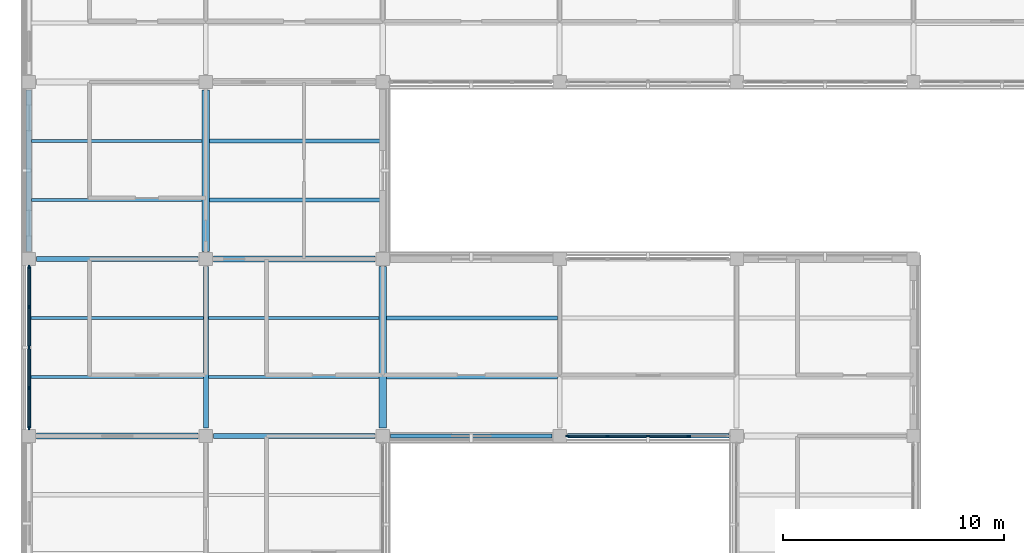
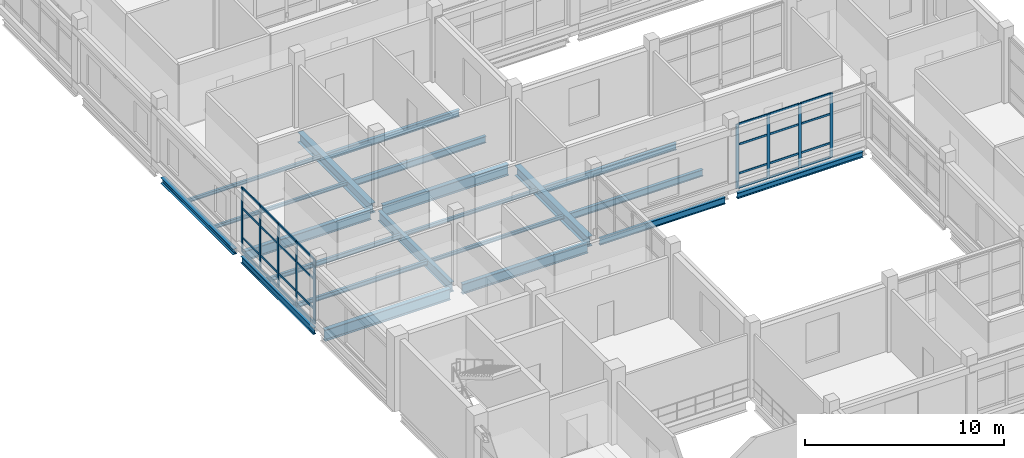
# One storey, part 13 of 121: 37 members, 21 beams, 2 elements without a shape of their own.
"""IFC4 building model written with IfcOpenShell, lengths in metres."""

from ifc_helpers import new_model, si_unit, derived_unit, direction, frame, origin, origin_2d, place, context, subcontext, project, spatial, rectangle, i_section, extrude, material, layer, layer_set, material_profile, profile_set, type_object, element, aggregate, save


model = new_model("IFC4")

# Units and contexts
model_context = context("Model", 3, precision=1e-05, world=origin(), true_north=direction((0.0, 1.0)))
body_context = subcontext(model_context, "Body", "Model", "MODEL_VIEW")
ifc_project = project(units=[si_unit("LENGTHUNIT", "METRE"), si_unit("AREAUNIT", "SQUARE_METRE"), si_unit("VOLUMEUNIT", "CUBIC_METRE"), si_unit("PLANEANGLEUNIT", "RADIAN"), si_unit("MASSUNIT", "GRAM", prefix="KILO"), derived_unit("THERMALTRANSMITTANCEUNIT", [(si_unit("MASSUNIT", "GRAM", prefix="KILO"), 1), (si_unit("TIMEUNIT", "SECOND"), -3), (si_unit("THERMODYNAMICTEMPERATUREUNIT", "KELVIN"), -1)])], contexts=[model_context])

# Site, building, storey
site_placement = place(None, origin())
site = spatial("IfcSite", under=ifc_project, at=site_placement, CompositionType="ELEMENT")
building_placement = place(site_placement, origin())
building = spatial("IfcBuilding", under=site, at=building_placement, Name="Veyamyaing Civic Hall", CompositionType="ELEMENT")
storey_placement = place(building_placement, frame((0.0, 0.0, 5.280029296875)))
storey = spatial("IfcBuildingStorey", under=building, at=storey_placement, Name="L01", CompositionType="ELEMENT", Elevation=5.280029296875)

# Beams
ifc_material_1 = material(Name="Steel ASTM A992", Category="steel")
ifc_material_profile_1 = material_profile(ifc_material_1, i_section(OverallWidth=0.256103515625, OverallDepth=0.693115234375, WebThickness=0.014404296875, FlangeThickness=0.023681640625, FilletRadius=0.013916015625, at=origin_2d()), Name="W690X170")
ifc_profile_set_1 = profile_set([ifc_material_profile_1], Name="Steel ASTM A992")
beam_type_1 = type_object("IfcBeamType", Name="B-04", PredefinedType="BEAM", material=ifc_profile_set_1)
beam_1_placement = place(storey_placement, frame((0.35009765625, 32.0, -0.591552734375), z_axis=(1.0, 0.0, 0.0), x_axis=(0.0, 1.0, 0.0)))
element("IfcBeam", 1, at=beam_1_placement, inside=storey, type_object=beam_type_1, Name="Girder B-04 L01 Grid E 1-2", PredefinedType="BEAM", context=body_context, shape_type="SweptSolid", body=[
    extrude(i_section(OverallWidth=0.256103515625, OverallDepth=0.693115234375, WebThickness=0.014404296875, FlangeThickness=0.023681640625, FilletRadius=0.013916015625, at=origin_2d()), origin(), (0.0, 0.0, 1.0), 7.2998046875),
])
ifc_material_profile_2 = material_profile(ifc_material_1, i_section(OverallWidth=0.22998046875, OverallDepth=0.616943359375, WebThickness=0.01318359375, FlangeThickness=0.022216796875, FilletRadius=0.012939453125, at=origin_2d()), Name="W610X140")
ifc_profile_set_2 = profile_set([ifc_material_profile_2], Name="Steel ASTM A992")
beam_type_2 = type_object("IfcBeamType", Name="B-05", PredefinedType="BEAM", material=ifc_profile_set_2)
for number, where, z_axis, x_axis, name in (
    (2, (8.35009765625, 32.0, -0.553466796875), (1.0, 0.0, 0.0), (0.0, 1.0, 0.0), "Girder B-05 L01 Grid E 2-3"),
    (3, (0.35009765625, 40.0, -0.553466796875), (1.0, 0.0, 0.0), (0.0, 1.0, 0.0), "Girder B-05 L01 Grid F 1-2"),
):
    element("IfcBeam", number, at=place(storey_placement, frame(where, z_axis=z_axis, x_axis=x_axis)), inside=storey, type_object=beam_type_2, Name=name, PredefinedType="BEAM", context=body_context, shape_type="SweptSolid", body=[
        extrude(i_section(OverallWidth=0.22998046875, OverallDepth=0.616943359375, WebThickness=0.01318359375, FlangeThickness=0.022216796875, FilletRadius=0.012939453125, at=origin_2d()), origin(), (0.0, 0.0, 1.0), 7.2998046875),
    ])
ifc_material_profile_3 = material_profile(ifc_material_1, i_section(OverallWidth=0.22802734375, OverallDepth=0.60791015625, WebThickness=0.01123046875, FlangeThickness=0.017333984375, FilletRadius=0.012939453125, at=origin_2d()), Name="W610X113")
ifc_profile_set_3 = profile_set([ifc_material_profile_3], Name="Steel ASTM A992")
beam_type_3 = type_object("IfcBeamType", Name="B-06", PredefinedType="BEAM", material=ifc_profile_set_3)
beam_2_placement = place(storey_placement, frame((8.0, 32.35009765625, -0.549072265625), z_axis=(0.0, 1.0, 0.0), x_axis=(-1.0, 0.0, 0.0)))
element("IfcBeam", 4, at=beam_2_placement, inside=storey, type_object=beam_type_3, Name="Girder B-06 L01 Grid 2 E-F", PredefinedType="BEAM", context=body_context, shape_type="SweptSolid", body=[
    extrude(i_section(OverallWidth=0.22802734375, OverallDepth=0.60791015625, WebThickness=0.01123046875, FlangeThickness=0.017333984375, FilletRadius=0.012939453125, at=origin_2d()), origin(), (0.0, 0.0, 1.0), 7.2998046875),
])
ifc_material_profile_4 = material_profile(ifc_material_1, i_section(OverallWidth=0.179931640625, OverallDepth=0.4130859375, WebThickness=0.009765625, FlangeThickness=0.01611328125, FilletRadius=0.010009765625, at=origin_2d()), Name="W410X74")
ifc_profile_set_4 = profile_set([ifc_material_profile_4], Name="Steel ASTM A992")
beam_type_4 = type_object("IfcBeamType", Name="B-10", PredefinedType="SPANDREL", material=ifc_profile_set_4)
beam_3_placement = place(storey_placement, frame((16.35009765625, 32.0, -0.451416015625), z_axis=(1.0, 0.0, 0.0), x_axis=(0.0, 1.0, 0.0)))
element("IfcBeam", 5, at=beam_3_placement, inside=storey, type_object=beam_type_4, Name="Girder B-10 L01 Grid E 3-4", PredefinedType="SPANDREL", context=body_context, shape_type="SweptSolid", body=[
    extrude(i_section(OverallWidth=0.179931640625, OverallDepth=0.4130859375, WebThickness=0.009765625, FlangeThickness=0.01611328125, FilletRadius=0.010009765625, at=origin_2d()), origin(), (0.0, 0.0, 1.0), 7.2998046875),
])
ifc_material_profile_5 = material_profile(ifc_material_1, i_section(OverallWidth=0.2041015625, OverallDepth=0.35009765625, WebThickness=0.0078125, FlangeThickness=0.01513671875, FilletRadius=0.010009765625, at=origin_2d()), Name="W360X72")
ifc_profile_set_5 = profile_set([ifc_material_profile_5], Name="Steel ASTM A992")
beam_type_5 = type_object("IfcBeamType", Name="B-11", PredefinedType="SPANDREL", material=ifc_profile_set_5)
beam_4_placement = place(storey_placement, frame((24.35009765625, 32.0, -0.419921875), z_axis=(1.0, 0.0, 0.0), x_axis=(0.0, 1.0, 0.0)))
element("IfcBeam", 6, at=beam_4_placement, inside=storey, type_object=beam_type_5, Name="Girder B-11 L01 Grid E 4-5", PredefinedType="SPANDREL", context=body_context, shape_type="SweptSolid", body=[
    extrude(i_section(OverallWidth=0.2041015625, OverallDepth=0.35009765625, WebThickness=0.0078125, FlangeThickness=0.01513671875, FilletRadius=0.010009765625, at=origin_2d()), origin(), (0.0, 0.0, 1.0), 7.2998046875),
])
ifc_material_profile_6 = material_profile(ifc_material_1, i_section(OverallWidth=0.25390625, OverallDepth=0.68408203125, WebThickness=0.012451171875, FlangeThickness=0.01904296875, FilletRadius=0.013916015625, at=origin_2d()), Name="W690X140")
ifc_profile_set_6 = profile_set([ifc_material_profile_6], Name="Steel ASTM A992")
beam_type_6 = type_object("IfcBeamType", Name="B-14", PredefinedType="BEAM", material=ifc_profile_set_6)
beam_5_placement = place(storey_placement, frame((8.35009765625, 40.0, -0.5869140625), z_axis=(1.0, 0.0, 0.0), x_axis=(0.0, 1.0, 0.0)))
element("IfcBeam", 7, at=beam_5_placement, inside=storey, type_object=beam_type_6, Name="Girder B-14 L01 Grid F 2-3", PredefinedType="BEAM", context=body_context, shape_type="SweptSolid", body=[
    extrude(i_section(OverallWidth=0.25390625, OverallDepth=0.68408203125, WebThickness=0.012451171875, FlangeThickness=0.01904296875, FilletRadius=0.013916015625, at=origin_2d()), origin(), (0.0, 0.0, 1.0), 7.2998046875),
])
ifc_material_profile_7 = material_profile(ifc_material_1, i_section(OverallWidth=0.324951171875, OverallDepth=0.615966796875, WebThickness=0.013916015625, FlangeThickness=0.021484375, FilletRadius=0.013916015625, at=origin_2d()), Name="W610X174")
ifc_profile_set_7 = profile_set([ifc_material_profile_7], Name="Steel ASTM A992")
beam_type_7 = type_object("IfcBeamType", Name="B-15", PredefinedType="BEAM", material=ifc_profile_set_7)
for number, where, z_axis, x_axis, name in (
    (8, (8.0, 40.35009765625, -0.552978515625), (0.0, 1.0, 0.0), (-1.0, 0.0, 0.0), "Girder B-15 L01 Grid 2 F-G"),
    (9, (16.0, 32.35009765625, -0.552978515625), (0.0, 1.0, 0.0), (-1.0, 0.0, 0.0), "Girder B-15 L01 Grid 3 E-F"),
):
    element("IfcBeam", number, at=place(storey_placement, frame(where, z_axis=z_axis, x_axis=x_axis)), inside=storey, type_object=beam_type_7, Name=name, PredefinedType="BEAM", context=body_context, shape_type="SweptSolid", body=[
        extrude(i_section(OverallWidth=0.324951171875, OverallDepth=0.615966796875, WebThickness=0.013916015625, FlangeThickness=0.021484375, FilletRadius=0.013916015625, at=origin_2d()), origin(), (0.0, 0.0, 1.0), 7.2998046875),
    ])
ifc_material_profile_8 = material_profile(ifc_material_1, i_section(OverallWidth=0.180908203125, OverallDepth=0.4169921875, WebThickness=0.010986328125, FlangeThickness=0.018310546875, FilletRadius=0.010009765625, at=origin_2d()), Name="W410X85")
ifc_profile_set_8 = profile_set([ifc_material_profile_8], Name="Steel ASTM A992")
beam_type_8 = type_object("IfcBeamType", Name="B-19", PredefinedType="SPANDREL", material=ifc_profile_set_8)
beam_6_placement = place(storey_placement, frame((0.0, 32.35009765625, -0.45361328125), z_axis=(0.0, 1.0, 0.0), x_axis=(-1.0, 0.0, 0.0)))
element("IfcBeam", 10, at=beam_6_placement, inside=storey, type_object=beam_type_8, Name="Girder B-19 L01 Grid 1 E-F", PredefinedType="SPANDREL", context=body_context, shape_type="SweptSolid", body=[
    extrude(i_section(OverallWidth=0.180908203125, OverallDepth=0.4169921875, WebThickness=0.010986328125, FlangeThickness=0.018310546875, FilletRadius=0.010009765625, at=origin_2d()), origin(), (0.0, 0.0, 1.0), 7.2998046875),
])
ifc_material_profile_9 = material_profile(ifc_material_1, i_section(OverallWidth=0.25390625, OverallDepth=0.35302734375, WebThickness=0.009521484375, FlangeThickness=0.016357421875, FilletRadius=0.011962890625, at=origin_2d()), Name="W360X91")
ifc_profile_set_9 = profile_set([ifc_material_profile_9], Name="Steel ASTM A992")
beam_type_9 = type_object("IfcBeamType", Name="B-20", PredefinedType="SPANDREL", material=ifc_profile_set_9)
beam_7_placement = place(storey_placement, frame((0.0, 40.35009765625, -0.421630859375), z_axis=(0.0, 1.0, 0.0), x_axis=(-1.0, 0.0, 0.0)))
element("IfcBeam", 11, at=beam_7_placement, inside=storey, type_object=beam_type_9, Name="Girder B-20 L01 Grid 1 F-G", PredefinedType="SPANDREL", context=body_context, shape_type="SweptSolid", body=[
    extrude(i_section(OverallWidth=0.25390625, OverallDepth=0.35302734375, WebThickness=0.009521484375, FlangeThickness=0.016357421875, FilletRadius=0.011962890625, at=origin_2d()), origin(), (0.0, 0.0, 1.0), 7.2998046875),
])

# Curtain wall, members
ifc_material_2 = material(Name="Anodised aluminium 6063-T6", Category="aluminium")
ifc_layer = layer(ifc_material_2, 0.159912109375, Name="Anodised aluminium 6063-T6")
ifc_layer_set = layer_set([ifc_layer], Name="Anodised aluminium 6063-T6")
curtain_wall_type = type_object("IfcCurtainWallType", Name="CW-02", PredefinedType="NOTDEFINED", material=ifc_layer_set)
curtain_wall_1_placement = place(storey_placement, origin())
curtain_wall_1 = element("IfcCurtainWall", 12, at=curtain_wall_1_placement, inside=storey, type_object=curtain_wall_type, Name="Unitized curtain wall CW-02 L01 W 1.5", PredefinedType="NOTDEFINED")
ifc_material_profile_10 = material_profile(ifc_material_2, rectangle(XDim=0.06494140625, YDim=0.159912109375, at=origin_2d()), Name="ALU-MUL-65X160")
ifc_profile_set_10 = profile_set([ifc_material_profile_10], Name="Anodised aluminium 6063-T6")
member_type_1 = type_object("IfcMemberType", Name="CWM-01", PredefinedType="MULLION", material=ifc_profile_set_10)
member_1_placement = place(storey_placement, frame((0.0, 32.362548828125, 0.0), z_axis=(0.0, 0.0, 1.0), x_axis=(-1.0, 0.0, 0.0)))
member_1 = element("IfcMember", 13, at=member_1_placement, type_object=member_type_1, Name="CW-02 mullion 1", PredefinedType="MULLION", context=body_context, shape_type="SweptSolid", body=[
    extrude(rectangle(XDim=0.06494140625, YDim=0.159912109375, at=origin_2d()), origin(), (0.0, 0.0, 1.0), 3.973876953125),
])
member_2_placement = place(storey_placement, frame((0.0, 34.1650390625, 0.0), z_axis=(0.0, 0.0, 1.0), x_axis=(-1.0, 0.0, 0.0)))
member_2 = element("IfcMember", 14, at=member_2_placement, type_object=member_type_1, Name="CW-02 mullion 2", PredefinedType="MULLION", context=body_context, shape_type="SweptSolid", body=[
    extrude(rectangle(XDim=0.06494140625, YDim=0.159912109375, at=origin_2d()), origin(), (0.0, 0.0, 1.0), 3.973876953125),
])
member_3_placement = place(storey_placement, frame((0.0, 36.0, 0.0), z_axis=(0.0, 0.0, 1.0), x_axis=(-1.0, 0.0, 0.0)))
member_3 = element("IfcMember", 15, at=member_3_placement, type_object=member_type_1, Name="CW-02 mullion 3", PredefinedType="MULLION", context=body_context, shape_type="SweptSolid", body=[
    extrude(rectangle(XDim=0.06494140625, YDim=0.159912109375, at=origin_2d()), origin(), (0.0, 0.0, 1.0), 3.973876953125),
])
member_4_placement = place(storey_placement, frame((0.0, 37.8349609375, 0.0), z_axis=(0.0, 0.0, 1.0), x_axis=(-1.0, 0.0, 0.0)))
member_4 = element("IfcMember", 16, at=member_4_placement, type_object=member_type_1, Name="CW-02 mullion 4", PredefinedType="MULLION", context=body_context, shape_type="SweptSolid", body=[
    extrude(rectangle(XDim=0.06494140625, YDim=0.159912109375, at=origin_2d()), origin(), (0.0, 0.0, 1.0), 3.973876953125),
])
member_5_placement = place(storey_placement, frame((0.0, 39.637451171875, 0.0), z_axis=(0.0, 0.0, 1.0), x_axis=(-1.0, 0.0, 0.0)))
member_5 = element("IfcMember", 17, at=member_5_placement, type_object=member_type_1, Name="CW-02 mullion 5", PredefinedType="MULLION", context=body_context, shape_type="SweptSolid", body=[
    extrude(rectangle(XDim=0.06494140625, YDim=0.159912109375, at=origin_2d()), origin(), (0.0, 0.0, 1.0), 3.973876953125),
])

curtain_wall_2_placement = place(storey_placement, origin())
curtain_wall_2 = element("IfcCurtainWall", 18, at=curtain_wall_2_placement, inside=storey, type_object=curtain_wall_type, Name="Unitized curtain wall CW-02 L01 S 4.5", PredefinedType="NOTDEFINED")
member_6_placement = place(storey_placement, frame((24.362548828125, 32.0, 0.0), z_axis=(0.0, 0.0, 1.0), x_axis=(0.0, 1.0, 0.0)))
member_6 = element("IfcMember", 19, at=member_6_placement, type_object=member_type_1, Name="CW-02 mullion 1", PredefinedType="MULLION", context=body_context, shape_type="SweptSolid", body=[
    extrude(rectangle(XDim=0.06494140625, YDim=0.159912109375, at=origin_2d()), origin(), (0.0, 0.0, 1.0), 3.955078125),
])
member_7_placement = place(storey_placement, frame((26.1650390625, 32.0, 0.0), z_axis=(0.0, 0.0, 1.0), x_axis=(0.0, 1.0, 0.0)))
member_7 = element("IfcMember", 20, at=member_7_placement, type_object=member_type_1, Name="CW-02 mullion 2", PredefinedType="MULLION", context=body_context, shape_type="SweptSolid", body=[
    extrude(rectangle(XDim=0.06494140625, YDim=0.159912109375, at=origin_2d()), origin(), (0.0, 0.0, 1.0), 3.955078125),
])
member_8_placement = place(storey_placement, frame((28.0, 32.0, 0.0), z_axis=(0.0, 0.0, 1.0), x_axis=(0.0, 1.0, 0.0)))
member_8 = element("IfcMember", 21, at=member_8_placement, type_object=member_type_1, Name="CW-02 mullion 3", PredefinedType="MULLION", context=body_context, shape_type="SweptSolid", body=[
    extrude(rectangle(XDim=0.06494140625, YDim=0.159912109375, at=origin_2d()), origin(), (0.0, 0.0, 1.0), 3.955078125),
])
member_9_placement = place(storey_placement, frame((29.8349609375, 32.0, 0.0), z_axis=(0.0, 0.0, 1.0), x_axis=(0.0, 1.0, 0.0)))
member_9 = element("IfcMember", 22, at=member_9_placement, type_object=member_type_1, Name="CW-02 mullion 4", PredefinedType="MULLION", context=body_context, shape_type="SweptSolid", body=[
    extrude(rectangle(XDim=0.06494140625, YDim=0.159912109375, at=origin_2d()), origin(), (0.0, 0.0, 1.0), 3.955078125),
])

# Member
ifc_material_profile_11 = material_profile(ifc_material_2, rectangle(XDim=0.06494140625, YDim=0.1201171875, at=origin_2d()), Name="ALU-TRN-65X120")
ifc_profile_set_11 = profile_set([ifc_material_profile_11], Name="Anodised aluminium 6063-T6")
member_type_2 = type_object("IfcMemberType", Name="CWT-01", PredefinedType="USERDEFINED", material=ifc_profile_set_11)
member_10_placement = place(storey_placement, frame((0.0, 32.39501953125, 0.032470703125), z_axis=(0.0, 1.0, 0.0), x_axis=(-1.0, 0.0, 0.0)))
member_10 = element("IfcMember", 23, at=member_10_placement, type_object=member_type_2, Name="CW-02 transom 1.1", ObjectType="TRANSOM", PredefinedType="USERDEFINED", context=body_context, shape_type="SweptSolid", body=[
    extrude(rectangle(XDim=0.06494140625, YDim=0.1201171875, at=origin_2d()), origin(), (0.0, 0.0, 1.0), 1.737548828125),
])

member_11_placement = place(storey_placement, frame((0.0, 32.39501953125, 0.89990234375), z_axis=(0.0, 1.0, 0.0), x_axis=(-1.0, 0.0, 0.0)))
member_11 = element("IfcMember", 24, at=member_11_placement, type_object=member_type_2, Name="CW-02 transom 1.2", ObjectType="TRANSOM", PredefinedType="USERDEFINED", context=body_context, shape_type="SweptSolid", body=[
    extrude(rectangle(XDim=0.06494140625, YDim=0.1201171875, at=origin_2d()), origin(), (0.0, 0.0, 1.0), 1.737548828125),
])

member_12_placement = place(storey_placement, frame((0.0, 32.39501953125, 2.702392578125), z_axis=(0.0, 1.0, 0.0), x_axis=(-1.0, 0.0, 0.0)))
member_12 = element("IfcMember", 25, at=member_12_placement, type_object=member_type_2, Name="CW-02 transom 1.3", ObjectType="TRANSOM", PredefinedType="USERDEFINED", context=body_context, shape_type="SweptSolid", body=[
    extrude(rectangle(XDim=0.06494140625, YDim=0.1201171875, at=origin_2d()), origin(), (0.0, 0.0, 1.0), 1.737548828125),
])

member_13_placement = place(storey_placement, frame((0.0, 32.39501953125, 3.94140625), z_axis=(0.0, 1.0, 0.0), x_axis=(-1.0, 0.0, 0.0)))
member_13 = element("IfcMember", 26, at=member_13_placement, type_object=member_type_2, Name="CW-02 transom 1.4", ObjectType="TRANSOM", PredefinedType="USERDEFINED", context=body_context, shape_type="SweptSolid", body=[
    extrude(rectangle(XDim=0.06494140625, YDim=0.1201171875, at=origin_2d()), origin(), (0.0, 0.0, 1.0), 1.737548828125),
])

member_14_placement = place(storey_placement, frame((0.0, 34.197509765625, 0.032470703125), z_axis=(0.0, 1.0, 0.0), x_axis=(-1.0, 0.0, 0.0)))
member_14 = element("IfcMember", 27, at=member_14_placement, type_object=member_type_2, Name="CW-02 transom 2.1", ObjectType="TRANSOM", PredefinedType="USERDEFINED", context=body_context, shape_type="SweptSolid", body=[
    extrude(rectangle(XDim=0.06494140625, YDim=0.1201171875, at=origin_2d()), origin(), (0.0, 0.0, 1.0), 1.77001953125),
])

member_15_placement = place(storey_placement, frame((0.0, 34.197509765625, 0.89990234375), z_axis=(0.0, 1.0, 0.0), x_axis=(-1.0, 0.0, 0.0)))
member_15 = element("IfcMember", 28, at=member_15_placement, type_object=member_type_2, Name="CW-02 transom 2.2", ObjectType="TRANSOM", PredefinedType="USERDEFINED", context=body_context, shape_type="SweptSolid", body=[
    extrude(rectangle(XDim=0.06494140625, YDim=0.1201171875, at=origin_2d()), origin(), (0.0, 0.0, 1.0), 1.77001953125),
])

member_16_placement = place(storey_placement, frame((0.0, 34.197509765625, 2.702392578125), z_axis=(0.0, 1.0, 0.0), x_axis=(-1.0, 0.0, 0.0)))
member_16 = element("IfcMember", 29, at=member_16_placement, type_object=member_type_2, Name="CW-02 transom 2.3", ObjectType="TRANSOM", PredefinedType="USERDEFINED", context=body_context, shape_type="SweptSolid", body=[
    extrude(rectangle(XDim=0.06494140625, YDim=0.1201171875, at=origin_2d()), origin(), (0.0, 0.0, 1.0), 1.77001953125),
])

member_17_placement = place(storey_placement, frame((0.0, 34.197509765625, 3.94140625), z_axis=(0.0, 1.0, 0.0), x_axis=(-1.0, 0.0, 0.0)))
member_17 = element("IfcMember", 30, at=member_17_placement, type_object=member_type_2, Name="CW-02 transom 2.4", ObjectType="TRANSOM", PredefinedType="USERDEFINED", context=body_context, shape_type="SweptSolid", body=[
    extrude(rectangle(XDim=0.06494140625, YDim=0.1201171875, at=origin_2d()), origin(), (0.0, 0.0, 1.0), 1.77001953125),
])

member_18_placement = place(storey_placement, frame((0.0, 36.032470703125, 0.032470703125), z_axis=(0.0, 1.0, 0.0), x_axis=(-1.0, 0.0, 0.0)))
member_18 = element("IfcMember", 31, at=member_18_placement, type_object=member_type_2, Name="CW-02 transom 3.1", ObjectType="TRANSOM", PredefinedType="USERDEFINED", context=body_context, shape_type="SweptSolid", body=[
    extrude(rectangle(XDim=0.06494140625, YDim=0.1201171875, at=origin_2d()), origin(), (0.0, 0.0, 1.0), 1.77001953125),
])

member_19_placement = place(storey_placement, frame((0.0, 36.032470703125, 0.89990234375), z_axis=(0.0, 1.0, 0.0), x_axis=(-1.0, 0.0, 0.0)))
member_19 = element("IfcMember", 32, at=member_19_placement, type_object=member_type_2, Name="CW-02 transom 3.2", ObjectType="TRANSOM", PredefinedType="USERDEFINED", context=body_context, shape_type="SweptSolid", body=[
    extrude(rectangle(XDim=0.06494140625, YDim=0.1201171875, at=origin_2d()), origin(), (0.0, 0.0, 1.0), 1.77001953125),
])

member_20_placement = place(storey_placement, frame((0.0, 36.032470703125, 2.702392578125), z_axis=(0.0, 1.0, 0.0), x_axis=(-1.0, 0.0, 0.0)))
member_20 = element("IfcMember", 33, at=member_20_placement, type_object=member_type_2, Name="CW-02 transom 3.3", ObjectType="TRANSOM", PredefinedType="USERDEFINED", context=body_context, shape_type="SweptSolid", body=[
    extrude(rectangle(XDim=0.06494140625, YDim=0.1201171875, at=origin_2d()), origin(), (0.0, 0.0, 1.0), 1.77001953125),
])

member_21_placement = place(storey_placement, frame((0.0, 36.032470703125, 3.94140625), z_axis=(0.0, 1.0, 0.0), x_axis=(-1.0, 0.0, 0.0)))
member_21 = element("IfcMember", 34, at=member_21_placement, type_object=member_type_2, Name="CW-02 transom 3.4", ObjectType="TRANSOM", PredefinedType="USERDEFINED", context=body_context, shape_type="SweptSolid", body=[
    extrude(rectangle(XDim=0.06494140625, YDim=0.1201171875, at=origin_2d()), origin(), (0.0, 0.0, 1.0), 1.77001953125),
])

member_22_placement = place(storey_placement, frame((0.0, 37.867431640625, 0.032470703125), z_axis=(0.0, 1.0, 0.0), x_axis=(-1.0, 0.0, 0.0)))
member_22 = element("IfcMember", 35, at=member_22_placement, type_object=member_type_2, Name="CW-02 transom 4.1", ObjectType="TRANSOM", PredefinedType="USERDEFINED", context=body_context, shape_type="SweptSolid", body=[
    extrude(rectangle(XDim=0.06494140625, YDim=0.1201171875, at=origin_2d()), origin(), (0.0, 0.0, 1.0), 1.737548828125),
])

member_23_placement = place(storey_placement, frame((0.0, 37.867431640625, 0.89990234375), z_axis=(0.0, 1.0, 0.0), x_axis=(-1.0, 0.0, 0.0)))
member_23 = element("IfcMember", 36, at=member_23_placement, type_object=member_type_2, Name="CW-02 transom 4.2", ObjectType="TRANSOM", PredefinedType="USERDEFINED", context=body_context, shape_type="SweptSolid", body=[
    extrude(rectangle(XDim=0.06494140625, YDim=0.1201171875, at=origin_2d()), origin(), (0.0, 0.0, 1.0), 1.737548828125),
])

member_24_placement = place(storey_placement, frame((0.0, 37.867431640625, 2.702392578125), z_axis=(0.0, 1.0, 0.0), x_axis=(-1.0, 0.0, 0.0)))
member_24 = element("IfcMember", 37, at=member_24_placement, type_object=member_type_2, Name="CW-02 transom 4.3", ObjectType="TRANSOM", PredefinedType="USERDEFINED", context=body_context, shape_type="SweptSolid", body=[
    extrude(rectangle(XDim=0.06494140625, YDim=0.1201171875, at=origin_2d()), origin(), (0.0, 0.0, 1.0), 1.737548828125),
])

member_25_placement = place(storey_placement, frame((0.0, 37.867431640625, 3.94140625), z_axis=(0.0, 1.0, 0.0), x_axis=(-1.0, 0.0, 0.0)))
member_25 = element("IfcMember", 38, at=member_25_placement, type_object=member_type_2, Name="CW-02 transom 4.4", ObjectType="TRANSOM", PredefinedType="USERDEFINED", context=body_context, shape_type="SweptSolid", body=[
    extrude(rectangle(XDim=0.06494140625, YDim=0.1201171875, at=origin_2d()), origin(), (0.0, 0.0, 1.0), 1.737548828125),
])

aggregate(curtain_wall_1, [member_1, member_2, member_3, member_4, member_5, member_10, member_11, member_12, member_13, member_14, member_15, member_16, member_17, member_18, member_19, member_20, member_21, member_22, member_23, member_24, member_25])

member_26_placement = place(storey_placement, frame((24.39501953125, 32.0, 0.032470703125), z_axis=(1.0, 0.0, 0.0), x_axis=(0.0, 1.0, 0.0)))
member_26 = element("IfcMember", 39, at=member_26_placement, type_object=member_type_2, Name="CW-02 transom 1.1", ObjectType="TRANSOM", PredefinedType="USERDEFINED", context=body_context, shape_type="SweptSolid", body=[
    extrude(rectangle(XDim=0.06494140625, YDim=0.1201171875, at=origin_2d()), origin(), (0.0, 0.0, 1.0), 1.737548828125),
])

member_27_placement = place(storey_placement, frame((24.39501953125, 32.0, 0.89990234375), z_axis=(1.0, 0.0, 0.0), x_axis=(0.0, 1.0, 0.0)))
member_27 = element("IfcMember", 40, at=member_27_placement, type_object=member_type_2, Name="CW-02 transom 1.2", ObjectType="TRANSOM", PredefinedType="USERDEFINED", context=body_context, shape_type="SweptSolid", body=[
    extrude(rectangle(XDim=0.06494140625, YDim=0.1201171875, at=origin_2d()), origin(), (0.0, 0.0, 1.0), 1.737548828125),
])

member_28_placement = place(storey_placement, frame((24.39501953125, 32.0, 2.689453125), z_axis=(1.0, 0.0, 0.0), x_axis=(0.0, 1.0, 0.0)))
member_28 = element("IfcMember", 41, at=member_28_placement, type_object=member_type_2, Name="CW-02 transom 1.3", ObjectType="TRANSOM", PredefinedType="USERDEFINED", context=body_context, shape_type="SweptSolid", body=[
    extrude(rectangle(XDim=0.06494140625, YDim=0.1201171875, at=origin_2d()), origin(), (0.0, 0.0, 1.0), 1.737548828125),
])

member_29_placement = place(storey_placement, frame((24.39501953125, 32.0, 3.92236328125), z_axis=(1.0, 0.0, 0.0), x_axis=(0.0, 1.0, 0.0)))
member_29 = element("IfcMember", 42, at=member_29_placement, type_object=member_type_2, Name="CW-02 transom 1.4", ObjectType="TRANSOM", PredefinedType="USERDEFINED", context=body_context, shape_type="SweptSolid", body=[
    extrude(rectangle(XDim=0.06494140625, YDim=0.1201171875, at=origin_2d()), origin(), (0.0, 0.0, 1.0), 1.737548828125),
])

member_30_placement = place(storey_placement, frame((26.197509765625, 32.0, 0.032470703125), z_axis=(1.0, 0.0, 0.0), x_axis=(0.0, 1.0, 0.0)))
member_30 = element("IfcMember", 43, at=member_30_placement, type_object=member_type_2, Name="CW-02 transom 2.1", ObjectType="TRANSOM", PredefinedType="USERDEFINED", context=body_context, shape_type="SweptSolid", body=[
    extrude(rectangle(XDim=0.06494140625, YDim=0.1201171875, at=origin_2d()), origin(), (0.0, 0.0, 1.0), 1.77001953125),
])

member_31_placement = place(storey_placement, frame((26.197509765625, 32.0, 0.89990234375), z_axis=(1.0, 0.0, 0.0), x_axis=(0.0, 1.0, 0.0)))
member_31 = element("IfcMember", 44, at=member_31_placement, type_object=member_type_2, Name="CW-02 transom 2.2", ObjectType="TRANSOM", PredefinedType="USERDEFINED", context=body_context, shape_type="SweptSolid", body=[
    extrude(rectangle(XDim=0.06494140625, YDim=0.1201171875, at=origin_2d()), origin(), (0.0, 0.0, 1.0), 1.77001953125),
])

member_32_placement = place(storey_placement, frame((26.197509765625, 32.0, 2.689453125), z_axis=(1.0, 0.0, 0.0), x_axis=(0.0, 1.0, 0.0)))
member_32 = element("IfcMember", 45, at=member_32_placement, type_object=member_type_2, Name="CW-02 transom 2.3", ObjectType="TRANSOM", PredefinedType="USERDEFINED", context=body_context, shape_type="SweptSolid", body=[
    extrude(rectangle(XDim=0.06494140625, YDim=0.1201171875, at=origin_2d()), origin(), (0.0, 0.0, 1.0), 1.77001953125),
])

member_33_placement = place(storey_placement, frame((26.197509765625, 32.0, 3.92236328125), z_axis=(1.0, 0.0, 0.0), x_axis=(0.0, 1.0, 0.0)))
member_33 = element("IfcMember", 46, at=member_33_placement, type_object=member_type_2, Name="CW-02 transom 2.4", ObjectType="TRANSOM", PredefinedType="USERDEFINED", context=body_context, shape_type="SweptSolid", body=[
    extrude(rectangle(XDim=0.06494140625, YDim=0.1201171875, at=origin_2d()), origin(), (0.0, 0.0, 1.0), 1.77001953125),
])

member_34_placement = place(storey_placement, frame((28.032470703125, 32.0, 0.032470703125), z_axis=(1.0, 0.0, 0.0), x_axis=(0.0, 1.0, 0.0)))
member_34 = element("IfcMember", 47, at=member_34_placement, type_object=member_type_2, Name="CW-02 transom 3.1", ObjectType="TRANSOM", PredefinedType="USERDEFINED", context=body_context, shape_type="SweptSolid", body=[
    extrude(rectangle(XDim=0.06494140625, YDim=0.1201171875, at=origin_2d()), origin(), (0.0, 0.0, 1.0), 1.77001953125),
])

member_35_placement = place(storey_placement, frame((28.032470703125, 32.0, 0.89990234375), z_axis=(1.0, 0.0, 0.0), x_axis=(0.0, 1.0, 0.0)))
member_35 = element("IfcMember", 48, at=member_35_placement, type_object=member_type_2, Name="CW-02 transom 3.2", ObjectType="TRANSOM", PredefinedType="USERDEFINED", context=body_context, shape_type="SweptSolid", body=[
    extrude(rectangle(XDim=0.06494140625, YDim=0.1201171875, at=origin_2d()), origin(), (0.0, 0.0, 1.0), 1.77001953125),
])

member_36_placement = place(storey_placement, frame((28.032470703125, 32.0, 2.689453125), z_axis=(1.0, 0.0, 0.0), x_axis=(0.0, 1.0, 0.0)))
member_36 = element("IfcMember", 49, at=member_36_placement, type_object=member_type_2, Name="CW-02 transom 3.3", ObjectType="TRANSOM", PredefinedType="USERDEFINED", context=body_context, shape_type="SweptSolid", body=[
    extrude(rectangle(XDim=0.06494140625, YDim=0.1201171875, at=origin_2d()), origin(), (0.0, 0.0, 1.0), 1.77001953125),
])

member_37_placement = place(storey_placement, frame((28.032470703125, 32.0, 3.92236328125), z_axis=(1.0, 0.0, 0.0), x_axis=(0.0, 1.0, 0.0)))
member_37 = element("IfcMember", 50, at=member_37_placement, type_object=member_type_2, Name="CW-02 transom 3.4", ObjectType="TRANSOM", PredefinedType="USERDEFINED", context=body_context, shape_type="SweptSolid", body=[
    extrude(rectangle(XDim=0.06494140625, YDim=0.1201171875, at=origin_2d()), origin(), (0.0, 0.0, 1.0), 1.77001953125),
])

aggregate(curtain_wall_2, [member_6, member_7, member_8, member_9, member_26, member_27, member_28, member_29, member_30, member_31, member_32, member_33, member_34, member_35, member_36, member_37])

# Beams
ifc_material_profile_12 = material_profile(ifc_material_1, i_section(OverallWidth=0.177978515625, OverallDepth=0.406982421875, WebThickness=0.0078125, FlangeThickness=0.0126953125, FilletRadius=0.010009765625, at=origin_2d()), Name="W410X60")
ifc_profile_set_12 = profile_set([ifc_material_profile_12], Name="Steel ASTM A992")
beam_type_10 = type_object("IfcBeamType", Name="J-01", PredefinedType="JOIST", material=ifc_profile_set_12)
for number, where, z_axis, x_axis, name in (
    (51, (8.160400390625, 42.666748046875, -0.448486328125), (1.0, 0.0, 0.0), (0.0, 1.0, 0.0), "Composite floor joist J-01 L01 2.6.1"),
    (52, (8.160400390625, 45.333251953125, -0.448486328125), (1.0, 0.0, 0.0), (0.0, 1.0, 0.0), "Composite floor joist J-01 L01 2.6.2"),
):
    element("IfcBeam", number, at=place(storey_placement, frame(where, z_axis=z_axis, x_axis=x_axis)), inside=storey, type_object=beam_type_10, Name=name, PredefinedType="JOIST", context=body_context, shape_type="SweptSolid", body=[
        extrude(i_section(OverallWidth=0.177978515625, OverallDepth=0.406982421875, WebThickness=0.0078125, FlangeThickness=0.0126953125, FilletRadius=0.010009765625, at=origin_2d()), origin(), (0.0, 0.0, 1.0), 7.739501953125),
    ])
for number, where, z_axis, x_axis, name in (
    (53, (16.160400390625, 34.666748046875, -0.448486328125), (1.0, 0.0, 0.0), (0.0, 1.0, 0.0), "Composite floor joist J-01 L01 3.5.1"),
    (54, (16.160400390625, 37.333251953125, -0.448486328125), (1.0, 0.0, 0.0), (0.0, 1.0, 0.0), "Composite floor joist J-01 L01 3.5.2"),
):
    element("IfcBeam", number, at=place(storey_placement, frame(where, z_axis=z_axis, x_axis=x_axis)), inside=storey, type_object=beam_type_10, Name=name, PredefinedType="JOIST", context=body_context, shape_type="SweptSolid", body=[
        extrude(i_section(OverallWidth=0.177978515625, OverallDepth=0.406982421875, WebThickness=0.0078125, FlangeThickness=0.0126953125, FilletRadius=0.010009765625, at=origin_2d()), origin(), (0.0, 0.0, 1.0), 7.734619140625),
    ])
ifc_material_profile_13 = material_profile(ifc_material_1, i_section(OverallWidth=0.14794921875, OverallDepth=0.26611328125, WebThickness=0.007568359375, FlangeThickness=0.012939453125, FilletRadius=0.010009765625, at=origin_2d()), Name="W250X45")
ifc_profile_set_13 = profile_set([ifc_material_profile_13], Name="Steel ASTM A992")
beam_type_11 = type_object("IfcBeamType", Name="J-07", PredefinedType="JOIST", material=ifc_profile_set_13)
for number, where, z_axis, x_axis, name in (
    (55, (0.08837890625, 34.666748046875, -0.3779296875), (1.0, 0.0, 0.0), (0.0, 1.0, 0.0), "Composite floor joist J-07 L01 1.5.1"),
    (56, (0.08837890625, 37.333251953125, -0.3779296875), (1.0, 0.0, 0.0), (0.0, 1.0, 0.0), "Composite floor joist J-07 L01 1.5.2"),
):
    element("IfcBeam", number, at=place(storey_placement, frame(where, z_axis=z_axis, x_axis=x_axis)), inside=storey, type_object=beam_type_11, Name=name, PredefinedType="JOIST", context=body_context, shape_type="SweptSolid", body=[
        extrude(i_section(OverallWidth=0.14794921875, OverallDepth=0.26611328125, WebThickness=0.007568359375, FlangeThickness=0.012939453125, FilletRadius=0.010009765625, at=origin_2d()), origin(), (0.0, 0.0, 1.0), 7.799560546875),
    ])
ifc_material_profile_14 = material_profile(ifc_material_1, i_section(OverallWidth=0.133056640625, OverallDepth=0.20703125, WebThickness=0.005859375, FlangeThickness=0.00830078125, FilletRadius=0.010009765625, at=origin_2d()), Name="W200X27")
ifc_profile_set_14 = profile_set([ifc_material_profile_14], Name="Steel ASTM A992")
beam_type_12 = type_object("IfcBeamType", Name="J-08", PredefinedType="JOIST", material=ifc_profile_set_14)
for number, where, z_axis, x_axis, name in (
    (57, (0.125, 42.666748046875, -0.3486328125), (1.0, 0.0, 0.0), (0.0, 1.0, 0.0), "Composite floor joist J-08 L01 1.6.1"),
    (58, (0.125, 45.333251953125, -0.3486328125), (1.0, 0.0, 0.0), (0.0, 1.0, 0.0), "Composite floor joist J-08 L01 1.6.2"),
):
    element("IfcBeam", number, at=place(storey_placement, frame(where, z_axis=z_axis, x_axis=x_axis)), inside=storey, type_object=beam_type_12, Name=name, PredefinedType="JOIST", context=body_context, shape_type="SweptSolid", body=[
        extrude(i_section(OverallWidth=0.133056640625, OverallDepth=0.20703125, WebThickness=0.005859375, FlangeThickness=0.00830078125, FilletRadius=0.010009765625, at=origin_2d()), origin(), (0.0, 0.0, 1.0), 7.714599609375),
    ])
for number, where, z_axis, x_axis, name in (
    (59, (8.112060546875, 34.666748046875, -0.3486328125), (1.0, 0.0, 0.0), (0.0, 1.0, 0.0), "Composite floor joist J-08 L01 2.5.1"),
    (60, (8.112060546875, 37.333251953125, -0.3486328125), (1.0, 0.0, 0.0), (0.0, 1.0, 0.0), "Composite floor joist J-08 L01 2.5.2"),
):
    element("IfcBeam", number, at=place(storey_placement, frame(where, z_axis=z_axis, x_axis=x_axis)), inside=storey, type_object=beam_type_12, Name=name, PredefinedType="JOIST", context=body_context, shape_type="SweptSolid", body=[
        extrude(i_section(OverallWidth=0.133056640625, OverallDepth=0.20703125, WebThickness=0.005859375, FlangeThickness=0.00830078125, FilletRadius=0.010009765625, at=origin_2d()), origin(), (0.0, 0.0, 1.0), 7.7275390625),
    ])

save(model, "model.ifc")
